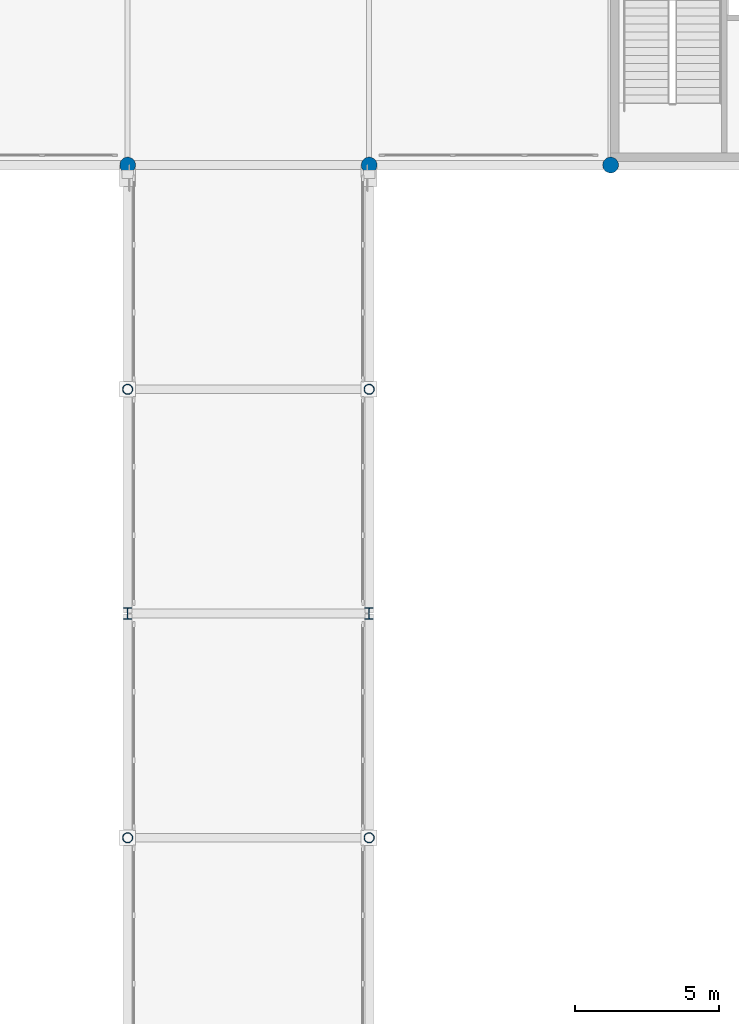
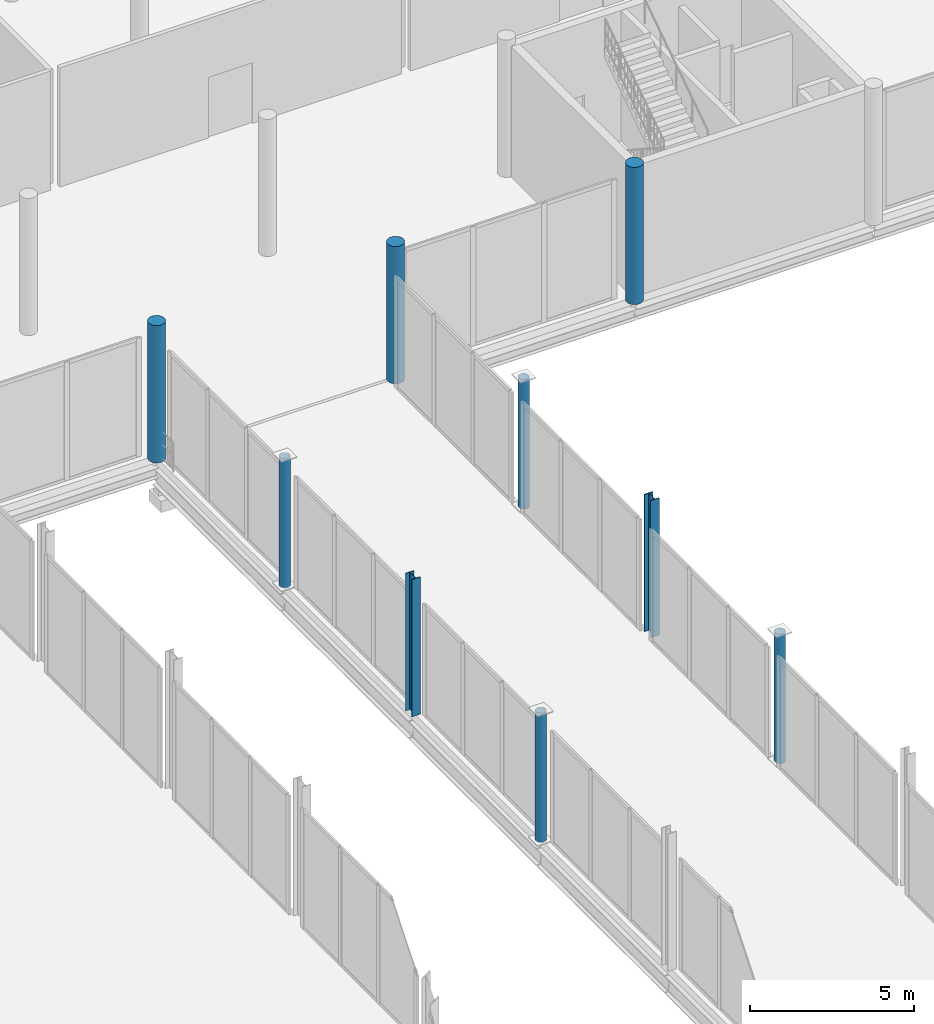
# One storey, part 12 of 105: 9 columns.
"""IFC4 building model written with IfcOpenShell, lengths in metres."""

from ifc_helpers import new_model, si_unit, direction, frame, origin, origin_2d, place, context, subcontext, project, spatial, circle, hollow_circle, i_section, extrude, material, material_profile, profile_set, type_object, element, save


model = new_model("IFC4")

# Units and contexts
model_context = context("Model", 3, precision=1e-05, world=origin(), true_north=direction((0.0, 1.0)))
body_context = subcontext(model_context, "Body", "Model", "MODEL_VIEW")
ifc_project = project(units=[si_unit("LENGTHUNIT", "METRE"), si_unit("AREAUNIT", "SQUARE_METRE"), si_unit("VOLUMEUNIT", "CUBIC_METRE"), si_unit("PLANEANGLEUNIT", "RADIAN"), si_unit("MASSUNIT", "GRAM", prefix="KILO")], contexts=[model_context])

# Site, building, storey
site_placement = place(None, origin())
site = spatial("IfcSite", under=ifc_project, at=site_placement, CompositionType="ELEMENT")
building_placement = place(site_placement, origin())
building = spatial("IfcBuilding", under=site, at=building_placement, Name="Nabrawat Pavilion Hospital", CompositionType="ELEMENT")
storey_placement = place(building_placement, frame((0.0, 0.0, 5.10009765625)))
storey = spatial("IfcBuildingStorey", under=building, at=storey_placement, Name="L01", CompositionType="ELEMENT", Elevation=5.10009765625)

# Columns
ifc_material_1 = material(Name="Steel S355", Category="steel")
ifc_material_profile_1 = material_profile(ifc_material_1, i_section(OverallWidth=0.300048828125, OverallDepth=0.39990234375, WebThickness=0.013427734375, FlangeThickness=0.02392578125, FilletRadius=0.027099609375, at=origin_2d()), Name="HEB 400")
ifc_profile_set_1 = profile_set([ifc_material_profile_1], Name="Steel S355")
column_type_1 = type_object("IfcColumnType", Name="Composite Steel Column HEB 400", PredefinedType="COLUMN", material=ifc_profile_set_1)
for number, where, z_axis, x_axis, name in (
    (1, (75.60009765625, 70.199951171875, 0.0), (0.0, 0.0, 1.0), (1.0, 0.0, 0.0), "L01 Structural Column G-10-K"),
    (2, (67.199951171875, 70.199951171875, 0.0), (0.0, 0.0, 1.0), (1.0, 0.0, 0.0), "L01 Structural Column G-9-K"),
):
    element("IfcColumn", number, at=place(storey_placement, frame(where, z_axis=z_axis, x_axis=x_axis)), inside=storey, type_object=column_type_1, Name=name, PredefinedType="COLUMN", context=body_context, shape_type="SweptSolid", body=[
        extrude(i_section(OverallWidth=0.300048828125, OverallDepth=0.39990234375, WebThickness=0.013427734375, FlangeThickness=0.02392578125, FilletRadius=0.027099609375, at=origin_2d()), origin(), (0.0, 0.0, 1.0), 5.099853515625),
    ])
ifc_material_profile_2 = material_profile(ifc_material_1, hollow_circle(Radius=0.177734375, WallThickness=0.01611328125, at=origin_2d()), Name="CHS 355.6x16")
ifc_profile_set_2 = profile_set([ifc_material_profile_2], Name="Steel S355")
column_type_2 = type_object("IfcColumnType", Name="Courtyard Link Bridge Column CHS 355.6x16", PredefinedType="COLUMN", material=ifc_profile_set_2)
for number, where, z_axis, x_axis, name in (
    (3, (75.60009765625, 62.39990234375, 0.0), (0.0, 0.0, 1.0), (1.0, 0.0, 0.0), "L01 Structural Column G-10-J"),
    (4, (75.60009765625, 78.0, 0.0), (0.0, 0.0, 1.0), (1.0, 0.0, 0.0), "L01 Structural Column G-10-L"),
    (5, (67.199951171875, 62.39990234375, 0.0), (0.0, 0.0, 1.0), (1.0, 0.0, 0.0), "L01 Structural Column G-9-J"),
    (6, (67.199951171875, 78.0, 0.0), (0.0, 0.0, 1.0), (1.0, 0.0, 0.0), "L01 Structural Column G-9-L"),
):
    element("IfcColumn", number, at=place(storey_placement, frame(where, z_axis=z_axis, x_axis=x_axis)), inside=storey, type_object=column_type_2, Name=name, PredefinedType="COLUMN", context=body_context, shape_type="SweptSolid", body=[
        extrude(hollow_circle(Radius=0.177734375, WallThickness=0.01611328125, at=origin_2d()), origin(), (0.0, 0.0, 1.0), 4.809814453125),
    ])
ifc_material_2 = material(Name="Concrete C40/50", Category="concrete")
ifc_material_profile_3 = material_profile(ifc_material_2, circle(Radius=0.27490234375, at=origin_2d()), Name="RC D550")
ifc_profile_set_3 = profile_set([ifc_material_profile_3], Name="Concrete C40/50")
column_type_3 = type_object("IfcColumnType", Name="Diagnostic Circular RC Column D550", PredefinedType="COLUMN", material=ifc_profile_set_3)
for number, where, z_axis, x_axis, name in (
    (7, (75.60009765625, 85.800048828125, 0.0), (0.0, 0.0, 1.0), (1.0, 0.0, 0.0), "L01 Structural Column G-10-M1"),
    (8, (84.0, 85.800048828125, 0.0), (0.0, 0.0, 1.0), (1.0, 0.0, 0.0), "L01 Structural Column G-11-M1"),
    (9, (67.199951171875, 85.800048828125, 0.0), (0.0, 0.0, 1.0), (1.0, 0.0, 0.0), "L01 Structural Column G-9-M1"),
):
    element("IfcColumn", number, at=place(storey_placement, frame(where, z_axis=z_axis, x_axis=x_axis)), inside=storey, type_object=column_type_3, Name=name, PredefinedType="COLUMN", context=body_context, shape_type="SweptSolid", body=[
        extrude(circle(Radius=0.27490234375, at=origin_2d()), origin(), (0.0, 0.0, 1.0), 5.099853515625),
    ])

save(model, "model.ifc")
